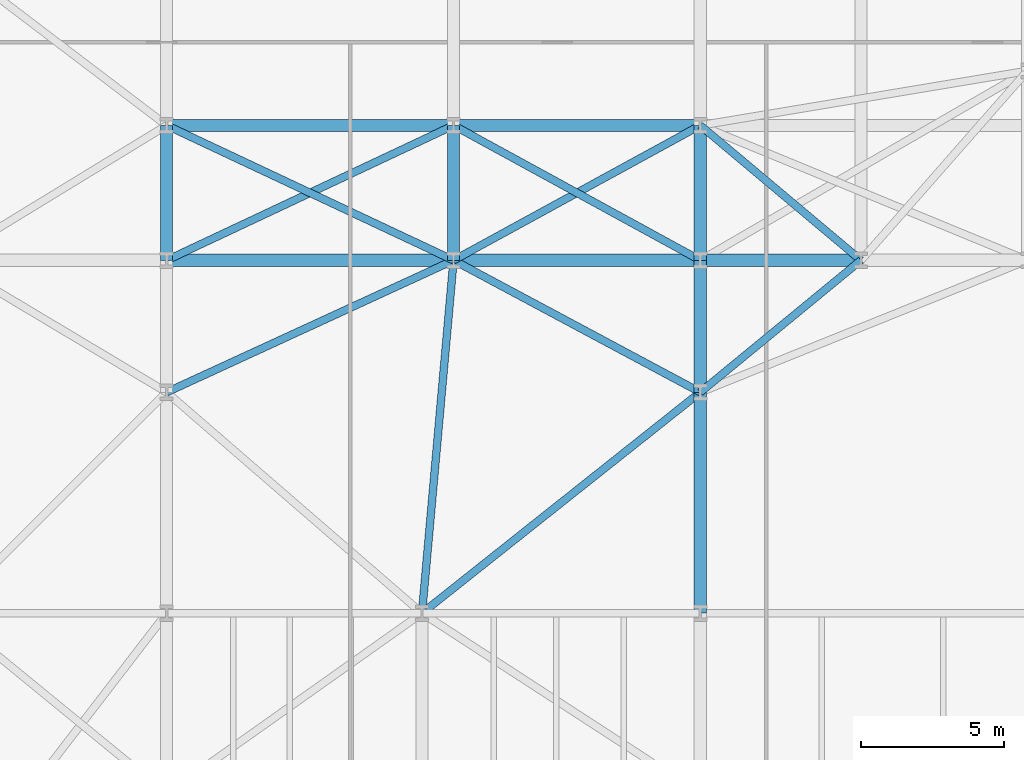
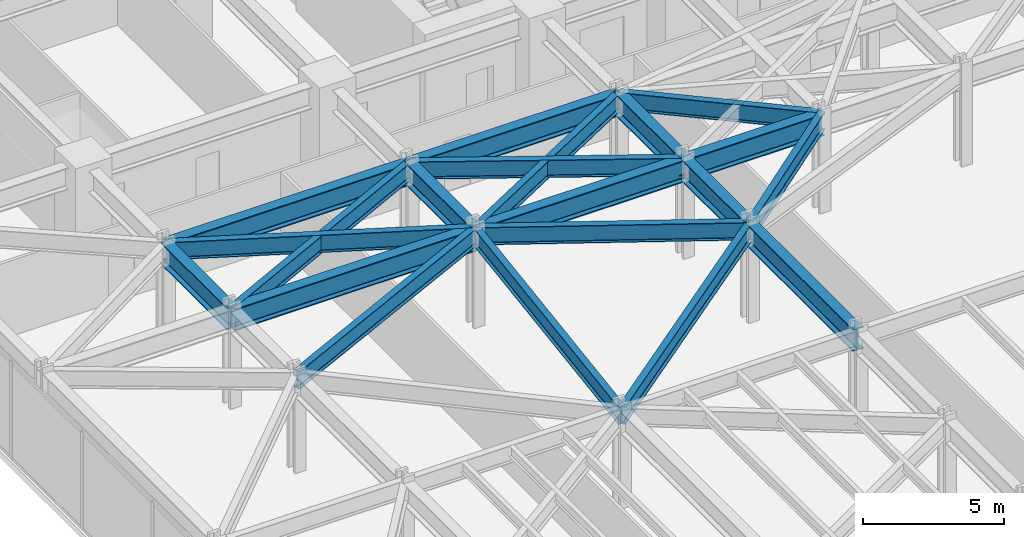
# One storey, part 11 of 28: 20 beams.
"""IFC4 building model written with IfcOpenShell, lengths in metres."""

from ifc_helpers import new_model, si_unit, direction, frame, origin, origin_2d, place, context, subcontext, project, spatial, i_section, extrude, material, material_profile, profile_set, type_object, element, save


model = new_model("IFC4")

# Units and contexts
model_context = context("Model", 3, precision=1e-05, world=origin(), true_north=direction((0.0, 1.0)))
body_context = subcontext(model_context, "Body", "Model", "MODEL_VIEW")
ifc_project = project(units=[si_unit("LENGTHUNIT", "METRE"), si_unit("AREAUNIT", "SQUARE_METRE"), si_unit("VOLUMEUNIT", "CUBIC_METRE"), si_unit("PLANEANGLEUNIT", "RADIAN"), si_unit("MASSUNIT", "GRAM", prefix="KILO")], contexts=[model_context])

# Site, building, storey
site_placement = place(None, origin())
site = spatial("IfcSite", under=ifc_project, at=site_placement, CompositionType="ELEMENT")
building_placement = place(site_placement, origin())
building = spatial("IfcBuilding", under=site, at=building_placement, Name="Kravanh Interchange Tower", CompositionType="ELEMENT")
storey_placement = place(building_placement, frame((0.0, 0.0, 10.800048828125)))
storey = spatial("IfcBuildingStorey", under=building, at=storey_placement, Name="L02", CompositionType="ELEMENT", Elevation=10.800048828125)

# Beams
ifc_material_1 = material(Name="Structural Steel S450", Category="steel")
ifc_material_profile_1 = material_profile(ifc_material_1, i_section(OverallWidth=0.423095703125, OverallDepth=0.947998046875, WebThickness=0.02392578125, FlangeThickness=0.042724609375, FilletRadius=0.028076171875, at=origin_2d()), Name="W36X302")
ifc_profile_set_1 = profile_set([ifc_material_profile_1], Name="Structural Steel S450")
beam_type_1 = type_object("IfcBeamType", Name="Floor Beam W36X302 Structural Steel S450", PredefinedType="BEAM", material=ifc_profile_set_1)
beam_1_placement = place(storey_placement, frame((27.199951171875, 14.5, 3.755859375), z_axis=(0.0, 1.0, 0.0), x_axis=(-1.0, 0.0, 0.0)))
element("IfcBeam", 1, at=beam_1_placement, inside=storey, type_object=beam_type_1, Name="L02 Primary Floor Girder 45", PredefinedType="BEAM", context=body_context, shape_type="SweptSolid", body=[
    extrude(i_section(OverallWidth=0.423095703125, OverallDepth=0.947998046875, WebThickness=0.02392578125, FlangeThickness=0.042724609375, FilletRadius=0.028076171875, at=origin_2d()), origin(), (0.0, 0.0, 1.0), 7.699951171875),
])
beam_2_placement = place(storey_placement, frame((27.199951171875, 22.199951171875, 3.755859375), z_axis=(0.0, 1.0, 0.0), x_axis=(-1.0, 0.0, 0.0)))
element("IfcBeam", 2, at=beam_2_placement, inside=storey, type_object=beam_type_1, Name="L02 Primary Floor Girder 61", PredefinedType="BEAM", context=body_context, shape_type="SweptSolid", body=[
    extrude(i_section(OverallWidth=0.423095703125, OverallDepth=0.947998046875, WebThickness=0.02392578125, FlangeThickness=0.042724609375, FilletRadius=0.028076171875, at=origin_2d()), origin(), (0.0, 0.0, 1.0), 4.60009765625),
])
beam_3_placement = place(storey_placement, frame((8.60009765625, 26.800048828125, 3.755859375), z_axis=(0.0, 1.0, 0.0), x_axis=(-1.0, 0.0, 0.0)))
element("IfcBeam", 3, at=beam_3_placement, inside=storey, type_object=beam_type_1, Name="L02 Primary Floor Girder 73", PredefinedType="BEAM", context=body_context, shape_type="SweptSolid", body=[
    extrude(i_section(OverallWidth=0.423095703125, OverallDepth=0.947998046875, WebThickness=0.02392578125, FlangeThickness=0.042724609375, FilletRadius=0.028076171875, at=origin_2d()), origin(), (0.0, 0.0, 1.0), 4.699951171875),
])
beam_4_placement = place(storey_placement, frame((8.60009765625, 26.800048828125, 3.755859375), z_axis=(1.0, 0.0, 0.0), x_axis=(0.0, 1.0, 0.0)))
element("IfcBeam", 4, at=beam_4_placement, inside=storey, type_object=beam_type_1, Name="L02 Primary Floor Girder 75", PredefinedType="BEAM", context=body_context, shape_type="SweptSolid", body=[
    extrude(i_section(OverallWidth=0.423095703125, OverallDepth=0.947998046875, WebThickness=0.02392578125, FlangeThickness=0.042724609375, FilletRadius=0.028076171875, at=origin_2d()), origin(), (0.0, 0.0, 1.0), 10.0),
])
beam_5_placement = place(storey_placement, frame((18.60009765625, 26.800048828125, 3.755859375), z_axis=(0.0, 1.0, 0.0), x_axis=(-1.0, 0.0, 0.0)))
element("IfcBeam", 5, at=beam_5_placement, inside=storey, type_object=beam_type_1, Name="L02 Primary Floor Girder 77", PredefinedType="BEAM", context=body_context, shape_type="SweptSolid", body=[
    extrude(i_section(OverallWidth=0.423095703125, OverallDepth=0.947998046875, WebThickness=0.02392578125, FlangeThickness=0.042724609375, FilletRadius=0.028076171875, at=origin_2d()), origin(), (0.0, 0.0, 1.0), 4.699951171875),
])
beam_6_placement = place(storey_placement, frame((18.60009765625, 26.800048828125, 3.755859375), z_axis=(1.0, 0.0, 0.0), x_axis=(0.0, 1.0, 0.0)))
element("IfcBeam", 6, at=beam_6_placement, inside=storey, type_object=beam_type_1, Name="L02 Primary Floor Girder 78", PredefinedType="BEAM", context=body_context, shape_type="SweptSolid", body=[
    extrude(i_section(OverallWidth=0.423095703125, OverallDepth=0.947998046875, WebThickness=0.02392578125, FlangeThickness=0.042724609375, FilletRadius=0.028076171875, at=origin_2d()), origin(), (0.0, 0.0, 1.0), 8.599853515625),
])
beam_7_placement = place(storey_placement, frame((27.199951171875, 26.800048828125, 3.755859375), z_axis=(0.0, 1.0, 0.0), x_axis=(-1.0, 0.0, 0.0)))
element("IfcBeam", 7, at=beam_7_placement, inside=storey, type_object=beam_type_1, Name="L02 Primary Floor Girder 81", PredefinedType="BEAM", context=body_context, shape_type="SweptSolid", body=[
    extrude(i_section(OverallWidth=0.423095703125, OverallDepth=0.947998046875, WebThickness=0.02392578125, FlangeThickness=0.042724609375, FilletRadius=0.028076171875, at=origin_2d()), origin(), (0.0, 0.0, 1.0), 4.699951171875),
])
beam_8_placement = place(storey_placement, frame((27.199951171875, 26.800048828125, 3.755859375), z_axis=(1.0, 0.0, 0.0), x_axis=(0.0, 1.0, 0.0)))
element("IfcBeam", 8, at=beam_8_placement, inside=storey, type_object=beam_type_1, Name="L02 Primary Floor Girder 82", PredefinedType="BEAM", context=body_context, shape_type="SweptSolid", body=[
    extrude(i_section(OverallWidth=0.423095703125, OverallDepth=0.947998046875, WebThickness=0.02392578125, FlangeThickness=0.042724609375, FilletRadius=0.028076171875, at=origin_2d()), origin(), (0.0, 0.0, 1.0), 5.60009765625),
])
beam_9_placement = place(storey_placement, frame((8.60009765625, 31.5, 3.755859375), z_axis=(1.0, 0.0, 0.0), x_axis=(0.0, 1.0, 0.0)))
element("IfcBeam", 9, at=beam_9_placement, inside=storey, type_object=beam_type_1, Name="L02 Primary Floor Girder 107", PredefinedType="BEAM", context=body_context, shape_type="SweptSolid", body=[
    extrude(i_section(OverallWidth=0.423095703125, OverallDepth=0.947998046875, WebThickness=0.02392578125, FlangeThickness=0.042724609375, FilletRadius=0.028076171875, at=origin_2d()), origin(), (0.0, 0.0, 1.0), 10.0),
])
beam_10_placement = place(storey_placement, frame((18.60009765625, 31.5, 3.755859375), z_axis=(1.0, 0.0, 0.0), x_axis=(0.0, 1.0, 0.0)))
element("IfcBeam", 10, at=beam_10_placement, inside=storey, type_object=beam_type_1, Name="L02 Primary Floor Girder 109", PredefinedType="BEAM", context=body_context, shape_type="SweptSolid", body=[
    extrude(i_section(OverallWidth=0.423095703125, OverallDepth=0.947998046875, WebThickness=0.02392578125, FlangeThickness=0.042724609375, FilletRadius=0.028076171875, at=origin_2d()), origin(), (0.0, 0.0, 1.0), 8.599853515625),
])
ifc_material_2 = material(Name="Structural Steel S355", Category="steel")
ifc_material_profile_2 = material_profile(ifc_material_2, i_section(OverallWidth=0.26708984375, OverallDepth=0.761962890625, WebThickness=0.014404296875, FlangeThickness=0.021484375, FilletRadius=0.02490234375, at=origin_2d()), Name="W30X116")
ifc_profile_set_2 = profile_set([ifc_material_profile_2], Name="Structural Steel S355")
beam_type_2 = type_object("IfcBeamType", Name="Floor Spandrel W30X116 Structural Steel S355", PredefinedType="SPANDREL", material=ifc_profile_set_2)
beam_11_placement = place(storey_placement, frame((17.5, 14.5, 3.848876953125), z_axis=(0.089082890706, 0.996024215862, 0.0), x_axis=(-0.996024215862, 0.089082890706, 0.0)))
element("IfcBeam", 11, at=beam_11_placement, inside=storey, type_object=beam_type_2, Name="L02 Perimeter Spandrel 43", PredefinedType="SPANDREL", context=body_context, shape_type="SweptSolid", body=[
    extrude(i_section(OverallWidth=0.26708984375, OverallDepth=0.761962890625, WebThickness=0.014404296875, FlangeThickness=0.021484375, FilletRadius=0.02490234375, at=origin_2d()), origin(), (0.0, 0.0, 1.0), 12.34912109375),
])
beam_12_placement = place(storey_placement, frame((17.5, 14.5, 3.848876953125), z_axis=(0.78322688578, 0.621735993321, 0.0), x_axis=(-0.621735993321, 0.78322688578, 0.0)))
element("IfcBeam", 12, at=beam_12_placement, inside=storey, type_object=beam_type_2, Name="L02 Perimeter Spandrel 44", PredefinedType="SPANDREL", context=body_context, shape_type="SweptSolid", body=[
    extrude(i_section(OverallWidth=0.26708984375, OverallDepth=0.761962890625, WebThickness=0.014404296875, FlangeThickness=0.021484375, FilletRadius=0.02490234375, at=origin_2d()), origin(), (0.0, 0.0, 1.0), 12.384521484375),
])
beam_13_placement = place(storey_placement, frame((8.60009765625, 22.199951171875, 3.848876953125), z_axis=(0.908487084298, 0.417912930721, 0.0), x_axis=(-0.417912930721, 0.908487084298, 0.0)))
element("IfcBeam", 13, at=beam_13_placement, inside=storey, type_object=beam_type_2, Name="L02 Perimeter Spandrel 60", PredefinedType="SPANDREL", context=body_context, shape_type="SweptSolid", body=[
    extrude(i_section(OverallWidth=0.26708984375, OverallDepth=0.761962890625, WebThickness=0.014404296875, FlangeThickness=0.021484375, FilletRadius=0.02490234375, at=origin_2d()), origin(), (0.0, 0.0, 1.0), 11.00732421875),
])
beam_14_placement = place(storey_placement, frame((27.199951171875, 22.199951171875, 3.848876953125), z_axis=(0.772725074305, 0.634740860147, 0.0), x_axis=(-0.634740860147, 0.772725074305, 0.0)))
element("IfcBeam", 14, at=beam_14_placement, inside=storey, type_object=beam_type_2, Name="L02 Perimeter Spandrel 62", PredefinedType="SPANDREL", context=body_context, shape_type="SweptSolid", body=[
    extrude(i_section(OverallWidth=0.26708984375, OverallDepth=0.761962890625, WebThickness=0.014404296875, FlangeThickness=0.021484375, FilletRadius=0.02490234375, at=origin_2d()), origin(), (0.0, 0.0, 1.0), 7.247314453125),
])
beam_15_placement = place(storey_placement, frame((27.199951171875, 22.199951171875, 3.848876953125), z_axis=(-0.881777136221, 0.471666282489, 0.0), x_axis=(-0.471666282489, -0.881777136221, 0.0)))
element("IfcBeam", 15, at=beam_15_placement, inside=storey, type_object=beam_type_2, Name="L02 Perimeter Spandrel 63", PredefinedType="SPANDREL", context=body_context, shape_type="SweptSolid", body=[
    extrude(i_section(OverallWidth=0.26708984375, OverallDepth=0.761962890625, WebThickness=0.014404296875, FlangeThickness=0.021484375, FilletRadius=0.02490234375, at=origin_2d()), origin(), (0.0, 0.0, 1.0), 9.7529296875),
])
beam_16_placement = place(storey_placement, frame((8.60009765625, 26.800048828125, 3.848876953125), z_axis=(0.905025402916, 0.425357520301, 0.0), x_axis=(-0.425357520301, 0.905025402916, 0.0)))
element("IfcBeam", 16, at=beam_16_placement, inside=storey, type_object=beam_type_2, Name="L02 Perimeter Spandrel 76", PredefinedType="SPANDREL", context=body_context, shape_type="SweptSolid", body=[
    extrude(i_section(OverallWidth=0.26708984375, OverallDepth=0.761962890625, WebThickness=0.014404296875, FlangeThickness=0.021484375, FilletRadius=0.02490234375, at=origin_2d()), origin(), (0.0, 0.0, 1.0), 11.04931640625),
])
beam_17_placement = place(storey_placement, frame((18.60009765625, 26.800048828125, 3.848876953125), z_axis=(0.877503996342, 0.479569323877, 0.0), x_axis=(-0.479569323877, 0.877503996342, 0.0)))
element("IfcBeam", 17, at=beam_17_placement, inside=storey, type_object=beam_type_2, Name="L02 Perimeter Spandrel 79", PredefinedType="SPANDREL", context=body_context, shape_type="SweptSolid", body=[
    extrude(i_section(OverallWidth=0.26708984375, OverallDepth=0.761962890625, WebThickness=0.014404296875, FlangeThickness=0.021484375, FilletRadius=0.02490234375, at=origin_2d()), origin(), (0.0, 0.0, 1.0), 9.80029296875),
])
beam_18_placement = place(storey_placement, frame((18.60009765625, 26.800048828125, 3.848876953125), z_axis=(-0.905025402916, 0.425357520301, 0.0), x_axis=(-0.425357520301, -0.905025402916, 0.0)))
element("IfcBeam", 18, at=beam_18_placement, inside=storey, type_object=beam_type_2, Name="L02 Perimeter Spandrel 80", PredefinedType="SPANDREL", context=body_context, shape_type="SweptSolid", body=[
    extrude(i_section(OverallWidth=0.26708984375, OverallDepth=0.761962890625, WebThickness=0.014404296875, FlangeThickness=0.021484375, FilletRadius=0.02490234375, at=origin_2d()), origin(), (0.0, 0.0, 1.0), 11.04931640625),
])
beam_19_placement = place(storey_placement, frame((27.199951171875, 26.800048828125, 3.848876953125), z_axis=(-0.877503996342, 0.479569323877, 0.0), x_axis=(-0.479569323877, -0.877503996342, 0.0)))
element("IfcBeam", 19, at=beam_19_placement, inside=storey, type_object=beam_type_2, Name="L02 Perimeter Spandrel 83", PredefinedType="SPANDREL", context=body_context, shape_type="SweptSolid", body=[
    extrude(i_section(OverallWidth=0.26708984375, OverallDepth=0.761962890625, WebThickness=0.014404296875, FlangeThickness=0.021484375, FilletRadius=0.02490234375, at=origin_2d()), origin(), (0.0, 0.0, 1.0), 9.80029296875),
])
beam_20_placement = place(storey_placement, frame((32.800048828125, 26.800048828125, 3.848876953125), z_axis=(-0.765983062929, 0.642860752657, 0.0), x_axis=(-0.642860752657, -0.765983062929, 0.0)))
element("IfcBeam", 20, at=beam_20_placement, inside=storey, type_object=beam_type_2, Name="L02 Perimeter Spandrel 86", PredefinedType="SPANDREL", context=body_context, shape_type="SweptSolid", body=[
    extrude(i_section(OverallWidth=0.26708984375, OverallDepth=0.761962890625, WebThickness=0.014404296875, FlangeThickness=0.021484375, FilletRadius=0.02490234375, at=origin_2d()), origin(), (0.0, 0.0, 1.0), 7.31103515625),
])

save(model, "model.ifc")
